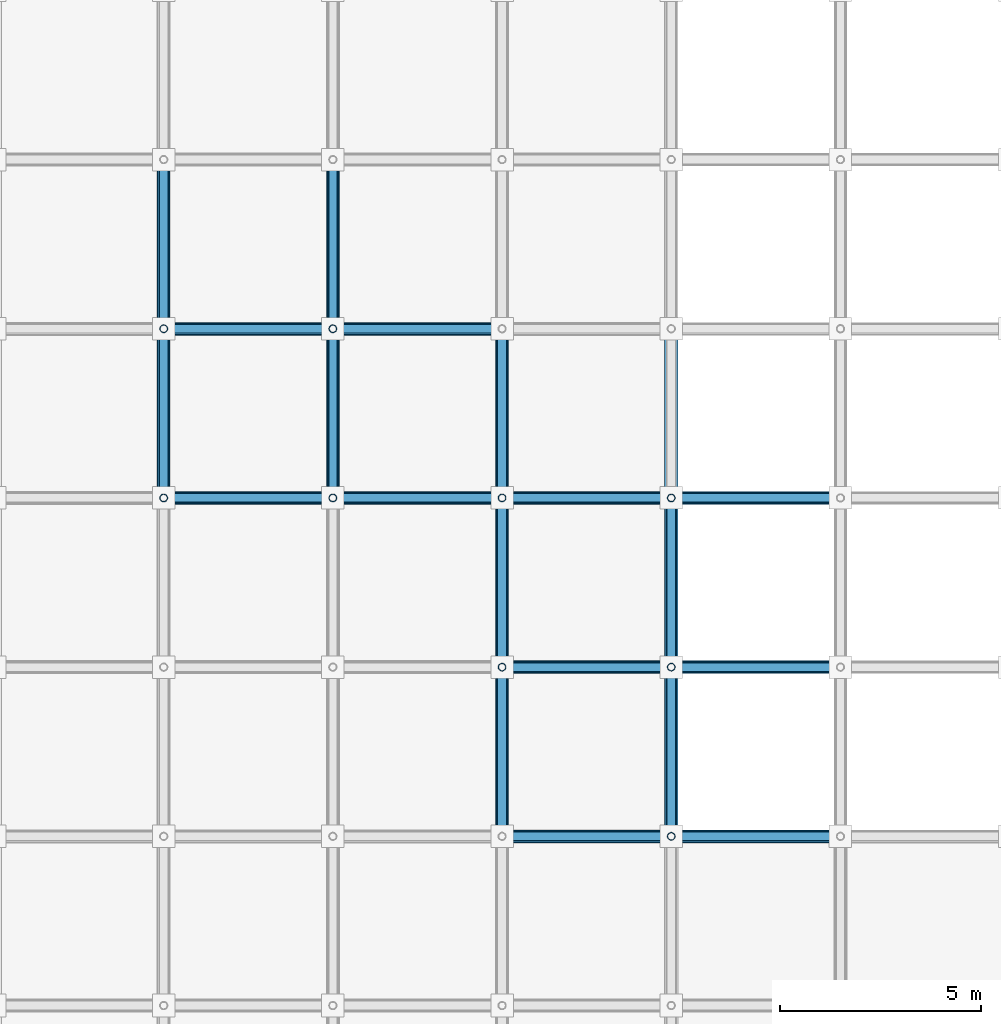
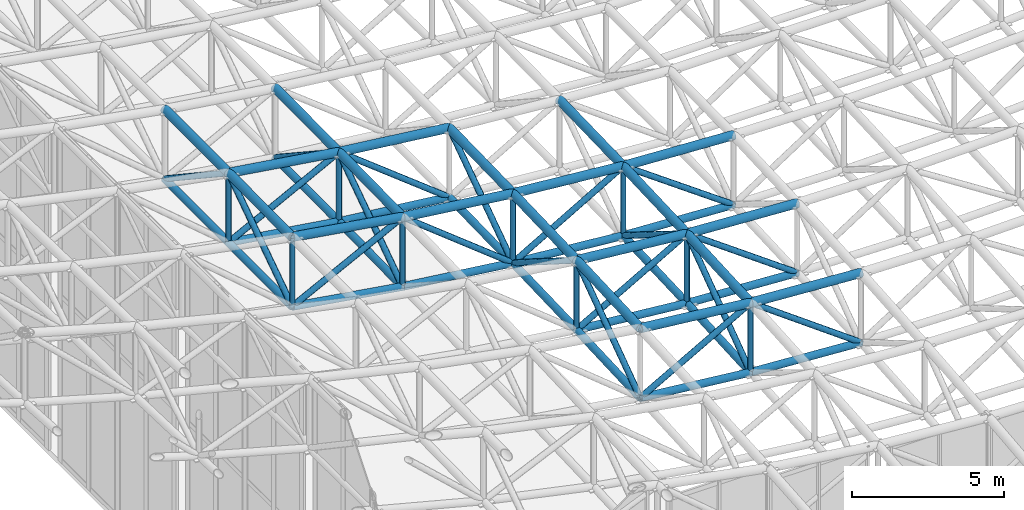
# One storey, part 11 of 93: 67 members.
"""IFC4 building model written with IfcOpenShell, lengths in metres."""

import ifcopenshell
import ifcopenshell.guid

model = None  # the IFC model being written
_history = None  # IfcOwnerHistory: only IFC2X3 demands one
_inside = {}  # id of a spatial element -> (the spatial element, [elements in it])
_under = {}  # id of a project, library or spatial element -> (it, [spatial elements below it])
_declared = {}  # id of a project -> (the project, [libraries it declares])
_typed = {}  # id of a type object -> (the type object, [elements of that type])
_made_of = {}  # id of a material, layer set ... -> (it, [elements and type objects made of it])


def new_model(schema):
    """Start an empty IFC model of exactly this schema.

    Asked for "IFC4X3", IfcOpenShell would pick the latest addendum, in which some entities
    have other attributes; the version numbers below select the first issue.
    IFC2X3 requires an IfcOwnerHistory on every rooted entity: one is made here for all.
    """
    global model, _history
    if schema == "IFC4X3":
        model = ifcopenshell.file(schema_version=(4, 3, 0, 0))
    else:
        model = ifcopenshell.file(schema=schema)
    _inside.clear()
    _under.clear()
    _declared.clear()
    _typed.clear()
    _made_of.clear()
    _history = None
    if model.schema == "IFC2X3":
        org = make("IfcOrganization", Name="unknown")
        user = make(
            "IfcPersonAndOrganization",
            ThePerson=make("IfcPerson", FamilyName="unknown"),
            TheOrganization=org,
        )
        app = make(
            "IfcApplication",
            ApplicationDeveloper=org,
            Version="unknown",
            ApplicationFullName="unknown",
            ApplicationIdentifier="unknown",
        )
        _history = make(
            "IfcOwnerHistory",
            OwningUser=user,
            OwningApplication=app,
            ChangeAction="ADDED",
            CreationDate=0,
        )
    return model


def make(cls, **values):
    """One entity of the class cls with the attributes given. An attribute that is None is left unset."""
    return model.create_entity(
        cls, **{name: value for name, value in values.items() if value is not None}
    )


def rooted(cls, **values):
    """An entity with a GlobalId (a new one), such as an element, a storey or a relation."""
    return make(cls, GlobalId=ifcopenshell.guid.new(), OwnerHistory=_history, **values)


def si_unit(unit_type, name, prefix=None):
    """IfcSIUnit, for example si_unit("LENGTHUNIT", "METRE", prefix="MILLI")."""
    return make("IfcSIUnit", UnitType=unit_type, Prefix=prefix, Name=name)


def assignment(units):
    """IfcUnitAssignment: the units of a project."""
    return None if units is None else make("IfcUnitAssignment", Units=units)


def point(xyz):
    """IfcCartesianPoint."""
    return None if xyz is None else make("IfcCartesianPoint", Coordinates=xyz)


def direction(xyz):
    """IfcDirection."""
    return None if xyz is None else make("IfcDirection", DirectionRatios=xyz)


def frame(location, z_axis=None, x_axis=None):
    """IfcAxis2Placement3D, a coordinate frame: its origin and axes. An axis left out is left unset."""
    return make(
        "IfcAxis2Placement3D",
        Location=point(location),
        Axis=direction(z_axis),
        RefDirection=direction(x_axis),
    )


def frame_2d(location, x_axis=None):
    """IfcAxis2Placement2D, a coordinate frame in the plane: its origin and x axis."""
    return make(
        "IfcAxis2Placement2D", Location=point(location), RefDirection=direction(x_axis)
    )


def origin():
    """The frame at (0, 0, 0) with its axes left unset."""
    return frame((0.0, 0.0, 0.0))


def origin_2d():
    """The frame at (0, 0) in the plane with its x axis left unset."""
    return frame_2d((0.0, 0.0))


def place(relative_to, where):
    """IfcLocalPlacement: puts the frame where relative to a parent placement (None: the world)."""
    return make(
        "IfcLocalPlacement", PlacementRelTo=relative_to, RelativePlacement=where
    )


def context(
    kind, dimensions, precision=None, world=None, true_north=None, identifier=None
):
    """IfcGeometricRepresentationContext, for example the 3D "Model" context."""
    return make(
        "IfcGeometricRepresentationContext",
        ContextIdentifier=identifier,
        ContextType=kind,
        CoordinateSpaceDimension=dimensions,
        Precision=precision,
        WorldCoordinateSystem=world,
        TrueNorth=true_north,
    )


def subcontext(parent, identifier, kind, view, scale=None):
    """IfcGeometricRepresentationSubContext, for example "Body" below "Model"."""
    return make(
        "IfcGeometricRepresentationSubContext",
        ContextIdentifier=identifier,
        ContextType=kind,
        ParentContext=parent,
        TargetScale=scale,
        TargetView=view,
    )


def project(units=None, contexts=None):
    """IfcProject with its units and contexts."""
    return rooted(
        "IfcProject",
        Name="project",
        RepresentationContexts=contexts,
        UnitsInContext=assignment(units),
    )


def spatial(cls, under=None, at=None, **own):
    """A site, building, storey or space (cls), placed at a placement, below another one or the project."""
    s = rooted(cls, ObjectPlacement=at, **own)
    if under is not None:
        _under.setdefault(under.id(), (under, []))[1].append(s)
    return s


def profile(cls, at=None, kind="AREA", **sizes):
    """A parametric profile (cls). Its sizes go by their IFC names, for example OverallWidth=200.0."""
    return make(cls, ProfileType=kind, Position=at, **sizes)


def hollow_circle(**sizes):
    """IfcCircleHollowProfileDef."""
    return profile("IfcCircleHollowProfileDef", **sizes)


def extrude(swept, where, along, depth):
    """IfcExtrudedAreaSolid: the profile swept, set in the frame where, extruded along a direction by depth."""
    return make(
        "IfcExtrudedAreaSolid",
        SweptArea=swept,
        Position=where,
        ExtrudedDirection=direction(along),
        Depth=depth,
    )


def shape(context_of_items, identifier, shape_type, items):
    """IfcShapeRepresentation: the items that make up one representation, for example the "Body"."""
    return make(
        "IfcShapeRepresentation",
        ContextOfItems=context_of_items,
        RepresentationIdentifier=identifier,
        RepresentationType=shape_type,
        Items=items,
    )


def material(Name=None, Category=None):
    """IfcMaterial."""
    return make("IfcMaterial", Name=Name, Category=Category)


def material_profile(
    of_material, cross_section, Name=None, Category=None, Priority=None
):
    """IfcMaterialProfile: a cross section and its material."""
    return make(
        "IfcMaterialProfile",
        Name=Name,
        Material=of_material,
        Profile=cross_section,
        Priority=Priority,
        Category=Category,
    )


def profile_set(profiles, Name=None, composite=None):
    """IfcMaterialProfileSet."""
    return make(
        "IfcMaterialProfileSet",
        Name=Name,
        MaterialProfiles=profiles,
        CompositeProfile=composite,
    )


def made_of(thing, what):
    """Note that an element or type object is made of a material, layer set ...; save() writes the relation."""
    if what is not None:
        _made_of.setdefault(what.id(), (what, []))[1].append(thing)
    return thing


def type_object(cls, material=None, **own):
    """A type object (cls), such as IfcWallType, which elements share."""
    return made_of(rooted(cls, **own), material)


def element(
    cls,
    number,
    at=None,
    inside=None,
    cuts=None,
    type_object=None,
    material=None,
    context=None,
    identifier="Body",
    shape_type=None,
    held_by="IfcProductDefinitionShape",
    body=None,
    shapes=None,
    **own,
):
    """One element of the class cls, such as IfcWall. Its Tag is "e" and its number.

    at: its placement. inside: the storey or other place that contains it. cuts: it is an
    opening in that element (IfcRelVoidsElement). A single representation is given by context,
    identifier, shape_type and body (its items); several are given by shapes. held_by: the class
    of the entity that holds the representations. save() writes the other relations.
    """
    e = rooted(cls, Tag="e%d" % number, ObjectPlacement=at, **own)
    if body is not None:
        shapes = [shape(context, identifier, shape_type, body)]
    if shapes is not None:
        e.Representation = make(held_by, Representations=shapes)
    if inside is not None:
        _inside.setdefault(inside.id(), (inside, []))[1].append(e)
    if cuts is not None:
        rooted(
            "IfcRelVoidsElement", RelatingBuildingElement=cuts, RelatedOpeningElement=e
        )
    if type_object is not None:
        _typed.setdefault(type_object.id(), (type_object, []))[1].append(e)
    return made_of(e, material)


def aggregate(whole, parts):
    """IfcRelAggregates: a whole, such as a stair, and the parts it consists of."""
    return rooted("IfcRelAggregates", RelatingObject=whole, RelatedObjects=parts)


def save(model, path):
    """Write the relations noted so far, then the file.

    IfcRelAggregates (storeys below a building ...), IfcRelContainedInSpatialStructure (elements
    in a storey), IfcRelDefinesByType, IfcRelAssociatesMaterial and IfcRelDeclares: one each for
    every whole, place, type object, material and project.
    """
    for whole, parts in _under.values():
        aggregate(whole, parts)
    for where, things in _inside.values():
        rooted(
            "IfcRelContainedInSpatialStructure",
            RelatedElements=things,
            RelatingStructure=where,
        )
    for kind, things in _typed.values():
        rooted("IfcRelDefinesByType", RelatedObjects=things, RelatingType=kind)
    for what, things in _made_of.values():
        rooted("IfcRelAssociatesMaterial", RelatedObjects=things, RelatingMaterial=what)
    for by, libraries in _declared.values():
        rooted("IfcRelDeclares", RelatingContext=by, RelatedDefinitions=libraries)
    model.write(path)


model = new_model("IFC4")

# Units and contexts
model_context = context("Model", 3, precision=1e-05, world=origin(), true_north=direction((0.0, 1.0)))
body_context = subcontext(model_context, "Body", "Model", "MODEL_VIEW")
ifc_project = project(units=[si_unit("LENGTHUNIT", "METRE"), si_unit("AREAUNIT", "SQUARE_METRE"), si_unit("VOLUMEUNIT", "CUBIC_METRE"), si_unit("PLANEANGLEUNIT", "RADIAN"), si_unit("MASSUNIT", "GRAM", prefix="KILO")], contexts=[model_context])

# Site, building, storey
site_placement = place(None, origin())
site = spatial("IfcSite", under=ifc_project, at=site_placement, CompositionType="ELEMENT")
building_placement = place(site_placement, origin())
building = spatial("IfcBuilding", under=site, at=building_placement, Name="Cumbredor Promenade Congress Hotel", CompositionType="ELEMENT")
storey_placement = place(building_placement, frame((0.0, 0.0, 21.840087890625)))
storey = spatial("IfcBuildingStorey", under=building, at=storey_placement, Name="L06", CompositionType="ELEMENT", Elevation=21.840087890625)

# Members
ifc_material = material(Name="Steel ASTM A500 Grade C", Category="steel")
ifc_material_profile_1 = material_profile(ifc_material, hollow_circle(Radius=0.136474609375, WallThickness=0.01611328125, at=origin_2d()), Name="CHS 273.0x16")
ifc_profile_set_1 = profile_set([ifc_material_profile_1], Name="Steel ASTM A500 Grade C")
member_type_1 = type_object("IfcMemberType", Name="Plenary Roof Space Frame Bottom Chord", PredefinedType="CHORD", material=ifc_profile_set_1)
member_1_placement = place(storey_placement, frame((21.0, 16.800048828125, 8.064697265625), z_axis=(0.99446833023, 0.0, -0.105036851481), x_axis=(0.0, 1.0, 0.0)))
element("IfcMember", 1, at=member_1_placement, inside=storey, type_object=member_type_1, Name="Plenary Congress Hall X Bottom Chord 7.5", PredefinedType="CHORD", context=body_context, shape_type="SweptSolid", body=[
    extrude(hollow_circle(Radius=0.136474609375, WallThickness=0.01611328125, at=origin_2d()), origin(), (0.0, 0.0, 1.0), 4.223388671875),
])
member_2_placement = place(storey_placement, frame((25.199951171875, 16.800048828125, 7.62109375), z_axis=(0.997998712994, 0.0, -0.063234238049), x_axis=(0.0, 1.0, 0.0)))
element("IfcMember", 2, at=member_2_placement, inside=storey, type_object=member_type_1, Name="Plenary Congress Hall X Bottom Chord 8.5", PredefinedType="CHORD", context=body_context, shape_type="SweptSolid", body=[
    extrude(hollow_circle(Radius=0.136474609375, WallThickness=0.01611328125, at=origin_2d()), origin(), (0.0, 0.0, 1.0), 4.208251953125),
])
member_3_placement = place(storey_placement, frame((21.0, 21.0, 8.256103515625), z_axis=(0.995448277851, 0.0, -0.095303337419), x_axis=(0.0, 1.0, 0.0)))
element("IfcMember", 3, at=member_3_placement, inside=storey, type_object=member_type_1, Name="Plenary Congress Hall X Bottom Chord 7.6", PredefinedType="CHORD", context=body_context, shape_type="SweptSolid", body=[
    extrude(hollow_circle(Radius=0.136474609375, WallThickness=0.01611328125, at=origin_2d()), origin(), (0.0, 0.0, 1.0), 4.21923828125),
])
member_4_placement = place(storey_placement, frame((25.199951171875, 21.0, 7.85400390625), z_axis=(0.998351536645, 0.0, -0.057395202566), x_axis=(0.0, 1.0, 0.0)))
element("IfcMember", 4, at=member_4_placement, inside=storey, type_object=member_type_1, Name="Plenary Congress Hall X Bottom Chord 8.6", PredefinedType="CHORD", context=body_context, shape_type="SweptSolid", body=[
    extrude(hollow_circle(Radius=0.136474609375, WallThickness=0.01611328125, at=origin_2d()), origin(), (0.0, 0.0, 1.0), 4.206787109375),
])
member_5_placement = place(storey_placement, frame((12.60009765625, 25.199951171875, 9.58740234375), z_axis=(0.987578889186, 0.0, -0.157123956269), x_axis=(0.0, 1.0, 0.0)))
element("IfcMember", 5, at=member_5_placement, inside=storey, type_object=member_type_1, Name="Plenary Congress Hall X Bottom Chord 5.7", PredefinedType="CHORD", context=body_context, shape_type="SweptSolid", body=[
    extrude(hollow_circle(Radius=0.136474609375, WallThickness=0.01611328125, at=origin_2d()), origin(), (0.0, 0.0, 1.0), 4.252685546875),
])
member_6_placement = place(storey_placement, frame((16.800048828125, 25.199951171875, 8.919189453125), z_axis=(0.992435931335, 0.0, -0.12276368435), x_axis=(0.0, 1.0, 0.0)))
element("IfcMember", 6, at=member_6_placement, inside=storey, type_object=member_type_1, Name="Plenary Congress Hall X Bottom Chord 6.7", PredefinedType="CHORD", context=body_context, shape_type="SweptSolid", body=[
    extrude(hollow_circle(Radius=0.136474609375, WallThickness=0.01611328125, at=origin_2d()), origin(), (0.0, 0.0, 1.0), 4.23193359375),
])
member_7_placement = place(storey_placement, frame((21.0, 25.199951171875, 8.399658203125), z_axis=(0.996124331019, 0.0, -0.087956336617), x_axis=(0.0, 1.0, 0.0)))
element("IfcMember", 7, at=member_7_placement, inside=storey, type_object=member_type_1, Name="Plenary Congress Hall X Bottom Chord 7.7", PredefinedType="CHORD", context=body_context, shape_type="SweptSolid", body=[
    extrude(hollow_circle(Radius=0.136474609375, WallThickness=0.01611328125, at=origin_2d()), origin(), (0.0, 0.0, 1.0), 4.21630859375),
])
member_8_placement = place(storey_placement, frame((25.199951171875, 25.199951171875, 8.02880859375), z_axis=(0.998597712555, 0.0, -0.052939668305), x_axis=(0.0, 1.0, 0.0)))
element("IfcMember", 8, at=member_8_placement, inside=storey, type_object=member_type_1, Name="Plenary Congress Hall X Bottom Chord 8.7", PredefinedType="CHORD", context=body_context, shape_type="SweptSolid", body=[
    extrude(hollow_circle(Radius=0.136474609375, WallThickness=0.01611328125, at=origin_2d()), origin(), (0.0, 0.0, 1.0), 4.205810546875),
])
member_9_placement = place(storey_placement, frame((12.60009765625, 29.39990234375, 9.61669921875), z_axis=(0.988906395797, 0.0, -0.148540029457), x_axis=(0.0, 1.0, 0.0)))
element("IfcMember", 9, at=member_9_placement, inside=storey, type_object=member_type_1, Name="Plenary Congress Hall X Bottom Chord 5.8", PredefinedType="CHORD", context=body_context, shape_type="SweptSolid", body=[
    extrude(hollow_circle(Radius=0.136474609375, WallThickness=0.01611328125, at=origin_2d()), origin(), (0.0, 0.0, 1.0), 4.2470703125),
])
member_10_placement = place(storey_placement, frame((16.800048828125, 29.39990234375, 8.98583984375), z_axis=(0.99325660269, 0.0, -0.115936712097), x_axis=(0.0, 1.0, 0.0)))
element("IfcMember", 10, at=member_10_placement, inside=storey, type_object=member_type_1, Name="Plenary Congress Hall X Bottom Chord 6.8", PredefinedType="CHORD", context=body_context, shape_type="SweptSolid", body=[
    extrude(hollow_circle(Radius=0.136474609375, WallThickness=0.01611328125, at=origin_2d()), origin(), (0.0, 0.0, 1.0), 4.228515625),
])
member_11_placement = place(storey_placement, frame((12.60009765625, 25.199951171875, 9.58740234375), z_axis=(0.0, 0.999975671896, 0.006975357823), x_axis=(-1.0, 0.0, 0.0)))
element("IfcMember", 11, at=member_11_placement, inside=storey, type_object=member_type_1, Name="Plenary Congress Hall Y Bottom Chord 5.7", PredefinedType="CHORD", context=body_context, shape_type="SweptSolid", body=[
    extrude(hollow_circle(Radius=0.136474609375, WallThickness=0.01611328125, at=origin_2d()), origin(), (0.0, 0.0, 1.0), 4.199951171875),
])
member_12_placement = place(storey_placement, frame((12.60009765625, 29.39990234375, 9.61669921875), z_axis=(0.0, 0.999993918515, 0.003487539823), x_axis=(-1.0, 0.0, 0.0)))
element("IfcMember", 12, at=member_12_placement, inside=storey, type_object=member_type_1, Name="Plenary Congress Hall Y Bottom Chord 5.8", PredefinedType="CHORD", context=body_context, shape_type="SweptSolid", body=[
    extrude(hollow_circle(Radius=0.136474609375, WallThickness=0.01611328125, at=origin_2d()), origin(), (0.0, 0.0, 1.0), 4.2001953125),
])
for number, where, z_axis, x_axis, name in (
    (13, (16.800048828125, 25.199951171875, 8.919189453125), (0.0, 0.999874106038, 0.015867327265), (-1.0, 0.0, 0.0), "Plenary Congress Hall Y Bottom Chord 6.7"),
    (14, (16.800048828125, 29.39990234375, 8.98583984375), (0.0, 0.999967830201, 0.008021132328), (-1.0, 0.0, 0.0), "Plenary Congress Hall Y Bottom Chord 6.8"),
):
    element("IfcMember", number, at=place(storey_placement, frame(where, z_axis=z_axis, x_axis=x_axis)), inside=storey, type_object=member_type_1, Name=name, PredefinedType="CHORD", context=body_context, shape_type="SweptSolid", body=[
        extrude(hollow_circle(Radius=0.136474609375, WallThickness=0.01611328125, at=origin_2d()), origin(), (0.0, 0.0, 1.0), 4.200439453125),
    ])
member_13_placement = place(storey_placement, frame((21.0, 16.800048828125, 8.064697265625), z_axis=(0.0, 0.998963145321, 0.045526193451), x_axis=(-1.0, 0.0, 0.0)))
element("IfcMember", 15, at=member_13_placement, inside=storey, type_object=member_type_1, Name="Plenary Congress Hall Y Bottom Chord 7.5", PredefinedType="CHORD", context=body_context, shape_type="SweptSolid", body=[
    extrude(hollow_circle(Radius=0.136474609375, WallThickness=0.01611328125, at=origin_2d()), origin(), (0.0, 0.0, 1.0), 4.204345703125),
])
member_14_placement = place(storey_placement, frame((21.0, 21.0, 8.256103515625), z_axis=(0.0, 0.999416372229, 0.034160136422), x_axis=(-1.0, 0.0, 0.0)))
element("IfcMember", 16, at=member_14_placement, inside=storey, type_object=member_type_1, Name="Plenary Congress Hall Y Bottom Chord 7.6", PredefinedType="CHORD", context=body_context, shape_type="SweptSolid", body=[
    extrude(hollow_circle(Radius=0.136474609375, WallThickness=0.01611328125, at=origin_2d()), origin(), (0.0, 0.0, 1.0), 4.202392578125),
])
member_15_placement = place(storey_placement, frame((21.0, 25.199951171875, 8.399658203125), z_axis=(0.0, 0.999739158447, 0.022838893755), x_axis=(-1.0, 0.0, 0.0)))
element("IfcMember", 17, at=member_15_placement, inside=storey, type_object=member_type_1, Name="Plenary Congress Hall Y Bottom Chord 7.7", PredefinedType="CHORD", context=body_context, shape_type="SweptSolid", body=[
    extrude(hollow_circle(Radius=0.136474609375, WallThickness=0.01611328125, at=origin_2d()), origin(), (0.0, 0.0, 1.0), 4.200927734375),
])
member_16_placement = place(storey_placement, frame((25.199951171875, 16.800048828125, 7.62109375), z_axis=(0.0, 0.998465884377, 0.055370368755), x_axis=(-1.0, 0.0, 0.0)))
element("IfcMember", 18, at=member_16_placement, inside=storey, type_object=member_type_1, Name="Plenary Congress Hall Y Bottom Chord 8.5", PredefinedType="CHORD", context=body_context, shape_type="SweptSolid", body=[
    extrude(hollow_circle(Radius=0.136474609375, WallThickness=0.01611328125, at=origin_2d()), origin(), (0.0, 0.0, 1.0), 4.206298828125),
])
member_17_placement = place(storey_placement, frame((25.199951171875, 21.0, 7.85400390625), z_axis=(0.0, 0.999134984522, 0.041584645057), x_axis=(-1.0, 0.0, 0.0)))
element("IfcMember", 19, at=member_17_placement, inside=storey, type_object=member_type_1, Name="Plenary Congress Hall Y Bottom Chord 8.6", PredefinedType="CHORD", context=body_context, shape_type="SweptSolid", body=[
    extrude(hollow_circle(Radius=0.136474609375, WallThickness=0.01611328125, at=origin_2d()), origin(), (0.0, 0.0, 1.0), 4.20361328125),
])
ifc_material_profile_2 = material_profile(ifc_material, hollow_circle(Radius=0.161865234375, WallThickness=0.01611328125, at=origin_2d()), Name="CHS 323.9x16")
ifc_profile_set_2 = profile_set([ifc_material_profile_2], Name="Steel ASTM A500 Grade C")
member_type_2 = type_object("IfcMemberType", Name="Plenary Roof Space Frame Top Chord", PredefinedType="CHORD", material=ifc_profile_set_2)
member_18_placement = place(storey_placement, frame((21.0, 16.800048828125, 10.864501953125), z_axis=(0.994474366989, 0.0, -0.104979680896), x_axis=(0.0, 1.0, 0.0)))
element("IfcMember", 20, at=member_18_placement, inside=storey, type_object=member_type_2, Name="Plenary Congress Hall X Top Chord 7.5", PredefinedType="CHORD", context=body_context, shape_type="SweptSolid", body=[
    extrude(hollow_circle(Radius=0.161865234375, WallThickness=0.01611328125, at=origin_2d()), origin(), (0.0, 0.0, 1.0), 4.223388671875),
])
member_19_placement = place(storey_placement, frame((25.199951171875, 16.800048828125, 10.421142578125), z_axis=(0.997998712994, 0.0, -0.063234238049), x_axis=(0.0, 1.0, 0.0)))
element("IfcMember", 21, at=member_19_placement, inside=storey, type_object=member_type_2, Name="Plenary Congress Hall X Top Chord 8.5", PredefinedType="CHORD", context=body_context, shape_type="SweptSolid", body=[
    extrude(hollow_circle(Radius=0.161865234375, WallThickness=0.01611328125, at=origin_2d()), origin(), (0.0, 0.0, 1.0), 4.208251953125),
])
member_20_placement = place(storey_placement, frame((21.0, 21.0, 11.055908203125), z_axis=(0.995453765838, 0.0, -0.095245997708), x_axis=(0.0, 1.0, 0.0)))
element("IfcMember", 22, at=member_20_placement, inside=storey, type_object=member_type_2, Name="Plenary Congress Hall X Top Chord 7.6", PredefinedType="CHORD", context=body_context, shape_type="SweptSolid", body=[
    extrude(hollow_circle(Radius=0.161865234375, WallThickness=0.01611328125, at=origin_2d()), origin(), (0.0, 0.0, 1.0), 4.21923828125),
])
member_21_placement = place(storey_placement, frame((25.199951171875, 21.0, 10.654052734375), z_axis=(0.998351536645, 0.0, -0.057395202566), x_axis=(0.0, 1.0, 0.0)))
element("IfcMember", 23, at=member_21_placement, inside=storey, type_object=member_type_2, Name="Plenary Congress Hall X Top Chord 8.6", PredefinedType="CHORD", context=body_context, shape_type="SweptSolid", body=[
    extrude(hollow_circle(Radius=0.161865234375, WallThickness=0.01611328125, at=origin_2d()), origin(), (0.0, 0.0, 1.0), 4.206787109375),
])
member_22_placement = place(storey_placement, frame((12.60009765625, 25.199951171875, 12.38720703125), z_axis=(0.987578889186, 0.0, -0.157123956269), x_axis=(0.0, 1.0, 0.0)))
element("IfcMember", 24, at=member_22_placement, inside=storey, type_object=member_type_2, Name="Plenary Congress Hall X Top Chord 5.7", PredefinedType="CHORD", context=body_context, shape_type="SweptSolid", body=[
    extrude(hollow_circle(Radius=0.161865234375, WallThickness=0.01611328125, at=origin_2d()), origin(), (0.0, 0.0, 1.0), 4.252685546875),
])
member_23_placement = place(storey_placement, frame((16.800048828125, 25.199951171875, 11.718994140625), z_axis=(0.992442958388, 0.0, -0.122706863483), x_axis=(0.0, 1.0, 0.0)))
element("IfcMember", 25, at=member_23_placement, inside=storey, type_object=member_type_2, Name="Plenary Congress Hall X Top Chord 6.7", PredefinedType="CHORD", context=body_context, shape_type="SweptSolid", body=[
    extrude(hollow_circle(Radius=0.161865234375, WallThickness=0.01611328125, at=origin_2d()), origin(), (0.0, 0.0, 1.0), 4.23193359375),
])
member_24_placement = place(storey_placement, frame((21.0, 25.199951171875, 11.19970703125), z_axis=(0.996119256094, 0.0, -0.088013792319), x_axis=(0.0, 1.0, 0.0)))
element("IfcMember", 26, at=member_24_placement, inside=storey, type_object=member_type_2, Name="Plenary Congress Hall X Top Chord 7.7", PredefinedType="CHORD", context=body_context, shape_type="SweptSolid", body=[
    extrude(hollow_circle(Radius=0.161865234375, WallThickness=0.01611328125, at=origin_2d()), origin(), (0.0, 0.0, 1.0), 4.21630859375),
])
member_25_placement = place(storey_placement, frame((25.199951171875, 25.199951171875, 10.82861328125), z_axis=(0.998600779613, 0.0, -0.052881782842), x_axis=(0.0, 1.0, 0.0)))
element("IfcMember", 27, at=member_25_placement, inside=storey, type_object=member_type_2, Name="Plenary Congress Hall X Top Chord 8.7", PredefinedType="CHORD", context=body_context, shape_type="SweptSolid", body=[
    extrude(hollow_circle(Radius=0.161865234375, WallThickness=0.01611328125, at=origin_2d()), origin(), (0.0, 0.0, 1.0), 4.205810546875),
])
member_26_placement = place(storey_placement, frame((12.60009765625, 29.39990234375, 12.41650390625), z_axis=(0.9889148383, 0.0, -0.148483812552), x_axis=(0.0, 1.0, 0.0)))
element("IfcMember", 28, at=member_26_placement, inside=storey, type_object=member_type_2, Name="Plenary Congress Hall X Top Chord 5.8", PredefinedType="CHORD", context=body_context, shape_type="SweptSolid", body=[
    extrude(hollow_circle(Radius=0.161865234375, WallThickness=0.01611328125, at=origin_2d()), origin(), (0.0, 0.0, 1.0), 4.2470703125),
])
member_27_placement = place(storey_placement, frame((16.800048828125, 29.39990234375, 11.785888671875), z_axis=(0.993249952356, 0.0, -0.115993672864), x_axis=(0.0, 1.0, 0.0)))
element("IfcMember", 29, at=member_27_placement, inside=storey, type_object=member_type_2, Name="Plenary Congress Hall X Top Chord 6.8", PredefinedType="CHORD", context=body_context, shape_type="SweptSolid", body=[
    extrude(hollow_circle(Radius=0.161865234375, WallThickness=0.01611328125, at=origin_2d()), origin(), (0.0, 0.0, 1.0), 4.228515625),
])
member_28_placement = place(storey_placement, frame((12.60009765625, 25.199951171875, 12.38720703125), z_axis=(0.0, 0.999975671896, 0.006975357823), x_axis=(-1.0, 0.0, 0.0)))
element("IfcMember", 30, at=member_28_placement, inside=storey, type_object=member_type_2, Name="Plenary Congress Hall Y Top Chord 5.7", PredefinedType="CHORD", context=body_context, shape_type="SweptSolid", body=[
    extrude(hollow_circle(Radius=0.161865234375, WallThickness=0.01611328125, at=origin_2d()), origin(), (0.0, 0.0, 1.0), 4.199951171875),
])
member_29_placement = place(storey_placement, frame((12.60009765625, 29.39990234375, 12.41650390625), z_axis=(0.0, 0.999993714111, 0.003545664762), x_axis=(-1.0, 0.0, 0.0)))
element("IfcMember", 31, at=member_29_placement, inside=storey, type_object=member_type_2, Name="Plenary Congress Hall Y Top Chord 5.8", PredefinedType="CHORD", context=body_context, shape_type="SweptSolid", body=[
    extrude(hollow_circle(Radius=0.161865234375, WallThickness=0.01611328125, at=origin_2d()), origin(), (0.0, 0.0, 1.0), 4.2001953125),
])
for number, where, z_axis, x_axis, name in (
    (32, (16.800048828125, 25.199951171875, 11.718994140625), (0.0, 0.999873182225, 0.015925434629), (-1.0, 0.0, 0.0), "Plenary Congress Hall Y Top Chord 6.7"),
    (33, (16.800048828125, 29.39990234375, 11.785888671875), (0.0, 0.999967830201, 0.008021132328), (-1.0, 0.0, 0.0), "Plenary Congress Hall Y Top Chord 6.8"),
):
    element("IfcMember", number, at=place(storey_placement, frame(where, z_axis=z_axis, x_axis=x_axis)), inside=storey, type_object=member_type_2, Name=name, PredefinedType="CHORD", context=body_context, shape_type="SweptSolid", body=[
        extrude(hollow_circle(Radius=0.161865234375, WallThickness=0.01611328125, at=origin_2d()), origin(), (0.0, 0.0, 1.0), 4.200439453125),
    ])
member_30_placement = place(storey_placement, frame((21.0, 16.800048828125, 10.864501953125), z_axis=(0.0, 0.998963145321, 0.045526193451), x_axis=(-1.0, 0.0, 0.0)))
element("IfcMember", 34, at=member_30_placement, inside=storey, type_object=member_type_2, Name="Plenary Congress Hall Y Top Chord 7.5", PredefinedType="CHORD", context=body_context, shape_type="SweptSolid", body=[
    extrude(hollow_circle(Radius=0.161865234375, WallThickness=0.01611328125, at=origin_2d()), origin(), (0.0, 0.0, 1.0), 4.204345703125),
])
member_31_placement = place(storey_placement, frame((21.0, 21.0, 11.055908203125), z_axis=(0.0, 0.999414387158, 0.034218163927), x_axis=(-1.0, 0.0, 0.0)))
element("IfcMember", 35, at=member_31_placement, inside=storey, type_object=member_type_2, Name="Plenary Congress Hall Y Top Chord 7.6", PredefinedType="CHORD", context=body_context, shape_type="SweptSolid", body=[
    extrude(hollow_circle(Radius=0.161865234375, WallThickness=0.01611328125, at=origin_2d()), origin(), (0.0, 0.0, 1.0), 4.202392578125),
])
member_32_placement = place(storey_placement, frame((21.0, 25.199951171875, 11.19970703125), z_axis=(0.0, 0.99974048368, 0.022780809719), x_axis=(-1.0, 0.0, 0.0)))
element("IfcMember", 36, at=member_32_placement, inside=storey, type_object=member_type_2, Name="Plenary Congress Hall Y Top Chord 7.7", PredefinedType="CHORD", context=body_context, shape_type="SweptSolid", body=[
    extrude(hollow_circle(Radius=0.161865234375, WallThickness=0.01611328125, at=origin_2d()), origin(), (0.0, 0.0, 1.0), 4.200927734375),
])
member_33_placement = place(storey_placement, frame((25.199951171875, 16.800048828125, 10.421142578125), z_axis=(0.0, 0.998465884377, 0.055370368755), x_axis=(-1.0, 0.0, 0.0)))
element("IfcMember", 37, at=member_33_placement, inside=storey, type_object=member_type_2, Name="Plenary Congress Hall Y Top Chord 8.5", PredefinedType="CHORD", context=body_context, shape_type="SweptSolid", body=[
    extrude(hollow_circle(Radius=0.161865234375, WallThickness=0.01611328125, at=origin_2d()), origin(), (0.0, 0.0, 1.0), 4.206298828125),
])
member_34_placement = place(storey_placement, frame((25.199951171875, 21.0, 10.654052734375), z_axis=(0.0, 0.999137395956, 0.041526666169), x_axis=(-1.0, 0.0, 0.0)))
element("IfcMember", 38, at=member_34_placement, inside=storey, type_object=member_type_2, Name="Plenary Congress Hall Y Top Chord 8.6", PredefinedType="CHORD", context=body_context, shape_type="SweptSolid", body=[
    extrude(hollow_circle(Radius=0.161865234375, WallThickness=0.01611328125, at=origin_2d()), origin(), (0.0, 0.0, 1.0), 4.20361328125),
])
member_35_placement = place(storey_placement, frame((25.199951171875, 25.199951171875, 10.82861328125), z_axis=(0.0, 0.999615808237, 0.027717069147), x_axis=(-1.0, 0.0, 0.0)))
element("IfcMember", 39, at=member_35_placement, inside=storey, type_object=member_type_2, Name="Plenary Congress Hall Y Top Chord 8.7", PredefinedType="CHORD", context=body_context, shape_type="SweptSolid", body=[
    extrude(hollow_circle(Radius=0.161865234375, WallThickness=0.01611328125, at=origin_2d()), origin(), (0.0, 0.0, 1.0), 4.20166015625),
])
ifc_material_profile_3 = material_profile(ifc_material, hollow_circle(Radius=0.109619140625, WallThickness=0.012451171875, at=origin_2d()), Name="CHS 219.1x12.5")
ifc_profile_set_3 = profile_set([ifc_material_profile_3], Name="Steel ASTM A500 Grade C")
member_type_3 = type_object("IfcMemberType", Name="Space Frame Web Diagonal D1", PredefinedType="BRACE", material=ifc_profile_set_3)
member_36_placement = place(storey_placement, frame((21.0, 16.800048828125, 8.064697265625), z_axis=(0.872109800473, 0.0, 0.489310224622), x_axis=(0.0, 1.0, 0.0)))
element("IfcMember", 40, at=member_36_placement, inside=storey, type_object=member_type_3, Name="Plenary Congress Hall X Web Diagonal 7.5", PredefinedType="BRACE", context=body_context, shape_type="SweptSolid", body=[
    extrude(hollow_circle(Radius=0.109619140625, WallThickness=0.012451171875, at=origin_2d()), origin(), (0.0, 0.0, 1.0), 4.81591796875),
])
member_37_placement = place(storey_placement, frame((25.199951171875, 16.800048828125, 10.421142578125), z_axis=(0.807668880256, 0.0, -0.589636311523), x_axis=(0.0, 1.0, 0.0)))
element("IfcMember", 41, at=member_37_placement, inside=storey, type_object=member_type_3, Name="Plenary Congress Hall X Web Diagonal 8.5", PredefinedType="BRACE", context=body_context, shape_type="SweptSolid", body=[
    extrude(hollow_circle(Radius=0.109619140625, WallThickness=0.012451171875, at=origin_2d()), origin(), (0.0, 0.0, 1.0), 5.2001953125),
])
member_38_placement = place(storey_placement, frame((21.0, 21.0, 8.256103515625), z_axis=(0.868423262922, 0.0, 0.495823594049), x_axis=(0.0, 1.0, 0.0)))
element("IfcMember", 42, at=member_38_placement, inside=storey, type_object=member_type_3, Name="Plenary Congress Hall X Web Diagonal 7.6", PredefinedType="BRACE", context=body_context, shape_type="SweptSolid", body=[
    extrude(hollow_circle(Radius=0.109619140625, WallThickness=0.012451171875, at=origin_2d()), origin(), (0.0, 0.0, 1.0), 4.836181640625),
])
member_39_placement = place(storey_placement, frame((25.199951171875, 21.0, 10.654052734375), z_axis=(0.809927468281, 0.0, -0.586530047076), x_axis=(0.0, 1.0, 0.0)))
element("IfcMember", 43, at=member_39_placement, inside=storey, type_object=member_type_3, Name="Plenary Congress Hall X Web Diagonal 8.6", PredefinedType="BRACE", context=body_context, shape_type="SweptSolid", body=[
    extrude(hollow_circle(Radius=0.109619140625, WallThickness=0.012451171875, at=origin_2d()), origin(), (0.0, 0.0, 1.0), 5.185546875),
])
member_40_placement = place(storey_placement, frame((12.60009765625, 25.199951171875, 9.58740234375), z_axis=(0.891725991042, 0.0, 0.452575691902), x_axis=(0.0, 1.0, 0.0)))
element("IfcMember", 44, at=member_40_placement, inside=storey, type_object=member_type_3, Name="Plenary Congress Hall X Web Diagonal 5.7", PredefinedType="BRACE", context=body_context, shape_type="SweptSolid", body=[
    extrude(hollow_circle(Radius=0.109619140625, WallThickness=0.012451171875, at=origin_2d()), origin(), (0.0, 0.0, 1.0), 4.7099609375),
])
member_41_placement = place(storey_placement, frame((16.800048828125, 25.199951171875, 11.718994140625), z_axis=(0.784556956827, 0.0, -0.620056756672), x_axis=(0.0, 1.0, 0.0)))
element("IfcMember", 45, at=member_41_placement, inside=storey, type_object=member_type_3, Name="Plenary Congress Hall X Web Diagonal 6.7", PredefinedType="BRACE", context=body_context, shape_type="SweptSolid", body=[
    extrude(hollow_circle(Radius=0.109619140625, WallThickness=0.012451171875, at=origin_2d()), origin(), (0.0, 0.0, 1.0), 5.353271484375),
])
member_42_placement = place(storey_placement, frame((21.0, 25.199951171875, 8.399658203125), z_axis=(0.865658166697, 0.0, 0.500635534527), x_axis=(0.0, 1.0, 0.0)))
element("IfcMember", 46, at=member_42_placement, inside=storey, type_object=member_type_3, Name="Plenary Congress Hall X Web Diagonal 7.7", PredefinedType="BRACE", context=body_context, shape_type="SweptSolid", body=[
    extrude(hollow_circle(Radius=0.109619140625, WallThickness=0.012451171875, at=origin_2d()), origin(), (0.0, 0.0, 1.0), 4.851806640625),
])
member_43_placement = place(storey_placement, frame((25.199951171875, 25.199951171875, 10.82861328125), z_axis=(0.81167213609, 0.0, -0.584113296797), x_axis=(0.0, 1.0, 0.0)))
element("IfcMember", 47, at=member_43_placement, inside=storey, type_object=member_type_3, Name="Plenary Congress Hall X Web Diagonal 8.7", PredefinedType="BRACE", context=body_context, shape_type="SweptSolid", body=[
    extrude(hollow_circle(Radius=0.109619140625, WallThickness=0.012451171875, at=origin_2d()), origin(), (0.0, 0.0, 1.0), 5.174560546875),
])
member_44_placement = place(storey_placement, frame((12.60009765625, 29.39990234375, 9.61669921875), z_axis=(0.888493647144, 0.0, 0.458888917914), x_axis=(0.0, 1.0, 0.0)))
element("IfcMember", 48, at=member_44_placement, inside=storey, type_object=member_type_3, Name="Plenary Congress Hall X Web Diagonal 5.8", PredefinedType="BRACE", context=body_context, shape_type="SweptSolid", body=[
    extrude(hollow_circle(Radius=0.109619140625, WallThickness=0.012451171875, at=origin_2d()), origin(), (0.0, 0.0, 1.0), 4.72705078125),
])
member_45_placement = place(storey_placement, frame((16.800048828125, 29.39990234375, 11.785888671875), z_axis=(0.787198804129, 0.0, -0.616699313099), x_axis=(0.0, 1.0, 0.0)))
element("IfcMember", 49, at=member_45_placement, inside=storey, type_object=member_type_3, Name="Plenary Congress Hall X Web Diagonal 6.8", PredefinedType="BRACE", context=body_context, shape_type="SweptSolid", body=[
    extrude(hollow_circle(Radius=0.109619140625, WallThickness=0.012451171875, at=origin_2d()), origin(), (0.0, 0.0, 1.0), 5.335205078125),
])
member_46_placement = place(storey_placement, frame((12.60009765625, 25.199951171875, 9.58740234375), z_axis=(0.0, 0.829385410304, 0.558676866512), x_axis=(-1.0, 0.0, 0.0)))
element("IfcMember", 50, at=member_46_placement, inside=storey, type_object=member_type_3, Name="Plenary Congress Hall Y Web Diagonal 5.7", PredefinedType="BRACE", context=body_context, shape_type="SweptSolid", body=[
    extrude(hollow_circle(Radius=0.109619140625, WallThickness=0.012451171875, at=origin_2d()), origin(), (0.0, 0.0, 1.0), 5.06396484375),
])
member_47_placement = place(storey_placement, frame((12.60009765625, 29.39990234375, 12.41650390625), z_axis=(0.0, 0.833419070638, -0.552641522776), x_axis=(-1.0, 0.0, 0.0)))
element("IfcMember", 51, at=member_47_placement, inside=storey, type_object=member_type_3, Name="Plenary Congress Hall Y Web Diagonal 5.8", PredefinedType="BRACE", context=body_context, shape_type="SweptSolid", body=[
    extrude(hollow_circle(Radius=0.109619140625, WallThickness=0.012451171875, at=origin_2d()), origin(), (0.0, 0.0, 1.0), 5.039794921875),
])
member_48_placement = place(storey_placement, frame((16.800048828125, 25.199951171875, 8.919189453125), z_axis=(0.0, 0.825943841056, 0.563752402586), x_axis=(-1.0, 0.0, 0.0)))
element("IfcMember", 52, at=member_48_placement, inside=storey, type_object=member_type_3, Name="Plenary Congress Hall Y Web Diagonal 6.7", PredefinedType="BRACE", context=body_context, shape_type="SweptSolid", body=[
    extrude(hollow_circle(Radius=0.109619140625, WallThickness=0.012451171875, at=origin_2d()), origin(), (0.0, 0.0, 1.0), 5.0849609375),
])
member_49_placement = place(storey_placement, frame((16.800048828125, 29.39990234375, 11.785888671875), z_axis=(0.0, 0.835136600991, -0.550042596247), x_axis=(-1.0, 0.0, 0.0)))
element("IfcMember", 53, at=member_49_placement, inside=storey, type_object=member_type_3, Name="Plenary Congress Hall Y Web Diagonal 6.8", PredefinedType="BRACE", context=body_context, shape_type="SweptSolid", body=[
    extrude(hollow_circle(Radius=0.109619140625, WallThickness=0.012451171875, at=origin_2d()), origin(), (0.0, 0.0, 1.0), 5.029296875),
])
member_50_placement = place(storey_placement, frame((21.0, 16.800048828125, 8.064697265625), z_axis=(0.0, 0.814535699065, 0.580113432829), x_axis=(-1.0, 0.0, 0.0)))
element("IfcMember", 54, at=member_50_placement, inside=storey, type_object=member_type_3, Name="Plenary Congress Hall Y Web Diagonal 7.5", PredefinedType="BRACE", context=body_context, shape_type="SweptSolid", body=[
    extrude(hollow_circle(Radius=0.109619140625, WallThickness=0.012451171875, at=origin_2d()), origin(), (0.0, 0.0, 1.0), 5.15625),
])
member_51_placement = place(storey_placement, frame((21.0, 21.0, 11.055908203125), z_axis=(0.0, 0.845157195809, -0.534517833541), x_axis=(-1.0, 0.0, 0.0)))
element("IfcMember", 55, at=member_51_placement, inside=storey, type_object=member_type_3, Name="Plenary Congress Hall Y Web Diagonal 7.6", PredefinedType="BRACE", context=body_context, shape_type="SweptSolid", body=[
    extrude(hollow_circle(Radius=0.109619140625, WallThickness=0.012451171875, at=origin_2d()), origin(), (0.0, 0.0, 1.0), 4.969482421875),
])
member_52_placement = place(storey_placement, frame((21.0, 25.199951171875, 8.399658203125), z_axis=(0.0, 0.823282964664, 0.567631183159), x_axis=(-1.0, 0.0, 0.0)))
element("IfcMember", 56, at=member_52_placement, inside=storey, type_object=member_type_3, Name="Plenary Congress Hall Y Web Diagonal 7.7", PredefinedType="BRACE", context=body_context, shape_type="SweptSolid", body=[
    extrude(hollow_circle(Radius=0.109619140625, WallThickness=0.012451171875, at=origin_2d()), origin(), (0.0, 0.0, 1.0), 5.1015625),
])
member_53_placement = place(storey_placement, frame((25.199951171875, 16.800048828125, 7.62109375), z_axis=(0.0, 0.81071029416, 0.58544753731), x_axis=(-1.0, 0.0, 0.0)))
element("IfcMember", 57, at=member_53_placement, inside=storey, type_object=member_type_3, Name="Plenary Congress Hall Y Web Diagonal 8.5", PredefinedType="BRACE", context=body_context, shape_type="SweptSolid", body=[
    extrude(hollow_circle(Radius=0.109619140625, WallThickness=0.012451171875, at=origin_2d()), origin(), (0.0, 0.0, 1.0), 5.1806640625),
])
member_54_placement = place(storey_placement, frame((25.199951171875, 21.0, 10.654052734375), z_axis=(0.0, 0.847973380055, -0.530038816237), x_axis=(-1.0, 0.0, 0.0)))
element("IfcMember", 58, at=member_54_placement, inside=storey, type_object=member_type_3, Name="Plenary Congress Hall Y Web Diagonal 8.6", PredefinedType="BRACE", context=body_context, shape_type="SweptSolid", body=[
    extrude(hollow_circle(Radius=0.109619140625, WallThickness=0.012451171875, at=origin_2d()), origin(), (0.0, 0.0, 1.0), 4.952880859375),
])
ifc_material_profile_4 = material_profile(ifc_material, hollow_circle(Radius=0.096923828125, WallThickness=0.010009765625, at=origin_2d()), Name="CHS 193.7x10")
ifc_profile_set_4 = profile_set([ifc_material_profile_4], Name="Steel ASTM A500 Grade C")
member_type_4 = type_object("IfcMemberType", Name="Space Frame Web Post P1", PredefinedType="BRACE", material=ifc_profile_set_4)
for number, where, z_axis, x_axis, name in (
    (59, (12.60009765625, 25.199951171875, 9.58740234375), (0.0, 0.0, 1.0), (1.0, 0.0, 0.0), "Plenary Congress Hall Space Frame Web Post 5.7"),
    (60, (12.60009765625, 29.39990234375, 9.61669921875), (0.0, 0.0, 1.0), (1.0, 0.0, 0.0), "Plenary Congress Hall Space Frame Web Post 5.8"),
    (61, (16.800048828125, 25.199951171875, 8.919189453125), (0.0, 0.0, 1.0), (1.0, 0.0, 0.0), "Plenary Congress Hall Space Frame Web Post 6.7"),
):
    element("IfcMember", number, at=place(storey_placement, frame(where, z_axis=z_axis, x_axis=x_axis)), inside=storey, type_object=member_type_4, Name=name, PredefinedType="BRACE", context=body_context, shape_type="SweptSolid", body=[
        extrude(hollow_circle(Radius=0.096923828125, WallThickness=0.010009765625, at=origin_2d()), origin(), (0.0, 0.0, 1.0), 2.7998046875),
    ])
member_55_placement = place(storey_placement, frame((16.800048828125, 29.39990234375, 8.98583984375), z_axis=(0.0, 0.0, 1.0), x_axis=(1.0, 0.0, 0.0)))
element("IfcMember", 62, at=member_55_placement, inside=storey, type_object=member_type_4, Name="Plenary Congress Hall Space Frame Web Post 6.8", PredefinedType="BRACE", context=body_context, shape_type="SweptSolid", body=[
    extrude(hollow_circle(Radius=0.096923828125, WallThickness=0.010009765625, at=origin_2d()), origin(), (0.0, 0.0, 1.0), 2.800048828125),
])
member_56_placement = place(storey_placement, frame((21.0, 21.0, 8.256103515625), z_axis=(0.0, 0.0, 1.0), x_axis=(1.0, 0.0, 0.0)))
element("IfcMember", 63, at=member_56_placement, inside=storey, type_object=member_type_4, Name="Plenary Congress Hall Space Frame Web Post 7.6", PredefinedType="BRACE", context=body_context, shape_type="SweptSolid", body=[
    extrude(hollow_circle(Radius=0.096923828125, WallThickness=0.010009765625, at=origin_2d()), origin(), (0.0, 0.0, 1.0), 2.7998046875),
])
for number, where, z_axis, x_axis, name in (
    (64, (21.0, 25.199951171875, 8.399658203125), (0.0, 0.0, 1.0), (1.0, 0.0, 0.0), "Plenary Congress Hall Space Frame Web Post 7.7"),
    (65, (25.199951171875, 16.800048828125, 7.62109375), (0.0, 0.0, 1.0), (1.0, 0.0, 0.0), "Plenary Congress Hall Space Frame Web Post 8.5"),
    (66, (25.199951171875, 21.0, 7.85400390625), (0.0, 0.0, 1.0), (1.0, 0.0, 0.0), "Plenary Congress Hall Space Frame Web Post 8.6"),
):
    element("IfcMember", number, at=place(storey_placement, frame(where, z_axis=z_axis, x_axis=x_axis)), inside=storey, type_object=member_type_4, Name=name, PredefinedType="BRACE", context=body_context, shape_type="SweptSolid", body=[
        extrude(hollow_circle(Radius=0.096923828125, WallThickness=0.010009765625, at=origin_2d()), origin(), (0.0, 0.0, 1.0), 2.800048828125),
    ])
member_57_placement = place(storey_placement, frame((25.199951171875, 25.199951171875, 8.02880859375), z_axis=(0.0, 0.0, 1.0), x_axis=(1.0, 0.0, 0.0)))
element("IfcMember", 67, at=member_57_placement, inside=storey, type_object=member_type_4, Name="Plenary Congress Hall Space Frame Web Post 8.7", PredefinedType="BRACE", context=body_context, shape_type="SweptSolid", body=[
    extrude(hollow_circle(Radius=0.096923828125, WallThickness=0.010009765625, at=origin_2d()), origin(), (0.0, 0.0, 1.0), 2.7998046875),
])

save(model, "model.ifc")
